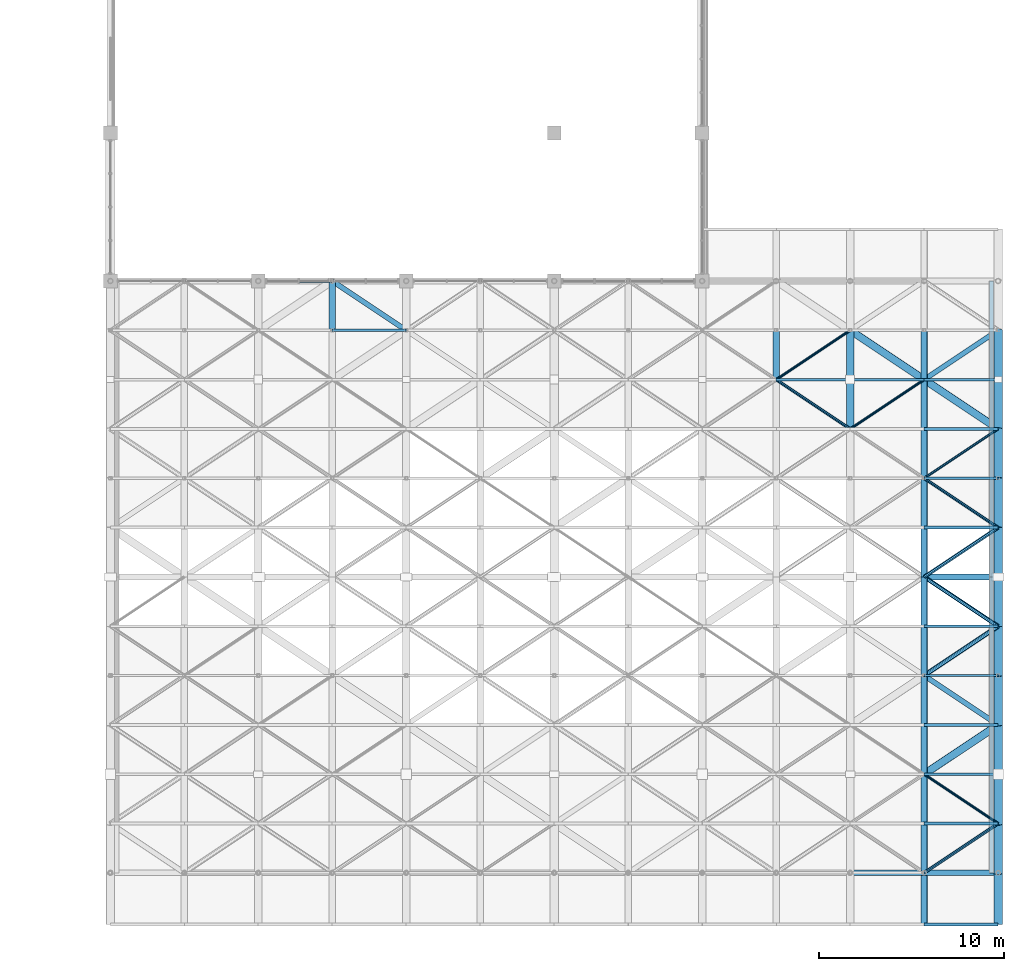
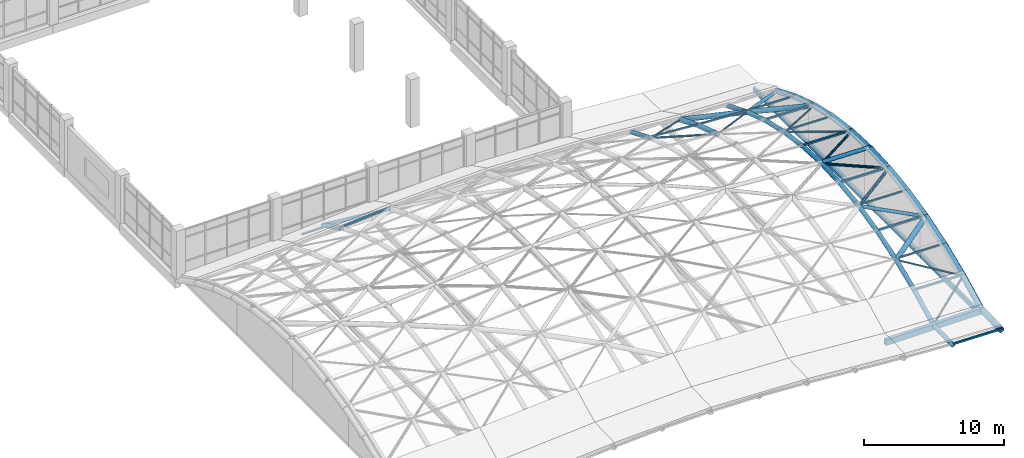
# One storey, part 32 of 72: 33 beams, 31 members, 1 element without a shape of its own.
"""IFC4 building model written with IfcOpenShell, lengths in metres."""

from ifc_helpers import new_model, si_unit, direction, frame, origin, origin_2d, place, context, subcontext, project, spatial, rectangle, hollow_rectangle, hollow_circle, extrude, material, material_profile, profile_set, type_object, element, aggregate, save


model = new_model("IFC4")

# Units and contexts
model_context = context("Model", 3, precision=1e-05, world=origin(), true_north=direction((0.0, 1.0)))
body_context = subcontext(model_context, "Body", "Model", "MODEL_VIEW")
ifc_project = project(units=[si_unit("LENGTHUNIT", "METRE"), si_unit("AREAUNIT", "SQUARE_METRE"), si_unit("VOLUMEUNIT", "CUBIC_METRE"), si_unit("PLANEANGLEUNIT", "RADIAN"), si_unit("MASSUNIT", "GRAM", prefix="KILO")], contexts=[model_context])

# Site, building, storey
site_placement = place(None, origin())
site = spatial("IfcSite", under=ifc_project, at=site_placement, CompositionType="ELEMENT")
building_placement = place(site_placement, origin())
building = spatial("IfcBuilding", under=site, at=building_placement, Name="Tenunan Teduh Sports Hall", CompositionType="ELEMENT")
storey_placement = place(building_placement, frame((0.0, 0.0, 15.0)))
storey = spatial("IfcBuildingStorey", under=building, at=storey_placement, Name="L03", CompositionType="ELEMENT", Elevation=15.0)

# Curtain wall, member
ifc_material_1 = material(Name="Anodised aluminium", Category="aluminium")
curtain_wall_type = type_object("IfcCurtainWallType", Name="CW-CLER-1", PredefinedType="NOTDEFINED", material=ifc_material_1)
curtain_wall_placement = place(storey_placement, origin())
curtain_wall = element("IfcCurtainWall", 1, at=curtain_wall_placement, inside=storey, type_object=curtain_wall_type, Name="CW-CWM-220-L03-141", PredefinedType="NOTDEFINED")
ifc_material_2 = material(Name="Anodised aluminium", Category="aluminium")
ifc_material_profile_1 = material_profile(ifc_material_2, rectangle(XDim=0.074951171875, YDim=0.179931640625, at=origin_2d()), Name="CWT 75x180")
ifc_profile_set_1 = profile_set([ifc_material_profile_1], Name="Anodised aluminium")
member_type_1 = type_object("IfcMemberType", Name="CWT-180", PredefinedType="USERDEFINED", material=ifc_profile_set_1)
member_1_placement = place(storey_placement, frame((132.22509765625, 46.0, 0.03759765625), z_axis=(1.0, 0.0, 0.0), x_axis=(0.0, 0.0, 1.0)))
member_1 = element("IfcMember", 2, at=member_1_placement, type_object=member_type_1, Name="CW-03 transom 2.1", ObjectType="TRANSOM", PredefinedType="USERDEFINED", context=body_context, shape_type="SweptSolid", body=[
    extrude(rectangle(XDim=0.074951171875, YDim=0.179931640625, at=origin_2d()), origin(), (0.0, 0.0, 1.0), 1.7373046875),
])
aggregate(curtain_wall, [member_1])

# Beams
ifc_material_3 = material(Name="Steel S355", Category="steel")
ifc_material_profile_2 = material_profile(ifc_material_3, hollow_circle(Radius=0.177734375, WallThickness=0.012451171875, at=origin_2d()), Name="CHS 355.6x12.5")
ifc_profile_set_2 = profile_set([ifc_material_profile_2], Name="Steel S355")
beam_type_1 = type_object("IfcBeamType", Name="GSB-CHS356", PredefinedType="BEAM", material=ifc_profile_set_2)
beam_1_placement = place(storey_placement, frame((134.0, 43.333251953125, 1.5654296875), z_axis=(0.0, 0.893033000477, -0.449991177756), x_axis=(-1.0, 0.0, 0.0)))
element("IfcBeam", 3, at=beam_1_placement, inside=storey, type_object=beam_type_1, Name="Gridshell Vault Arch BM-GR-04-L03-0120", PredefinedType="BEAM", context=body_context, shape_type="SweptSolid", body=[
    extrude(hollow_circle(Radius=0.177734375, WallThickness=0.012451171875, at=origin_2d()), origin(), (0.0, 0.0, 1.0), 2.986083984375),
])
beam_2_placement = place(storey_placement, frame((158.0, 40.666748046875, 2.6669921875), z_axis=(0.0, 0.924239355634, -0.381813584748), x_axis=(-1.0, 0.0, 0.0)))
element("IfcBeam", 4, at=beam_2_placement, inside=storey, type_object=beam_type_1, Name="Gridshell Vault Arch BM-GR-04-L03-0197", PredefinedType="BEAM", context=body_context, shape_type="SweptSolid", body=[
    extrude(hollow_circle(Radius=0.177734375, WallThickness=0.012451171875, at=origin_2d()), origin(), (0.0, 0.0, 1.0), 2.885009765625),
])
beam_3_placement = place(storey_placement, frame((166.0, 11.199951171875, -0.3837890625), z_axis=(0.0, 0.999521285082, 0.030938659769), x_axis=(-1.0, 0.0, 0.0)))
element("IfcBeam", 5, at=beam_3_placement, inside=storey, type_object=beam_type_1, Name="Gridshell Vault Arch BM-GR-04-L03-0214", PredefinedType="BEAM", context=body_context, shape_type="SweptSolid", body=[
    extrude(hollow_circle(Radius=0.177734375, WallThickness=0.012451171875, at=origin_2d()), origin(), (0.0, 0.0, 1.0), 2.6513671875),
])
beam_4_placement = place(storey_placement, frame((166.0, 14.14990234375, -0.2158203125), z_axis=(0.0, 0.893958432616, 0.448149886483), x_axis=(-1.0, 0.0, 0.0)))
element("IfcBeam", 6, at=beam_4_placement, inside=storey, type_object=beam_type_1, Name="Gridshell Vault Arch BM-GR-04-L03-0215", PredefinedType="BEAM", context=body_context, shape_type="SweptSolid", body=[
    extrude(hollow_circle(Radius=0.177734375, WallThickness=0.012451171875, at=origin_2d()), origin(), (0.0, 0.0, 1.0), 2.8154296875),
])
beam_5_placement = place(storey_placement, frame((166.0, 16.666748046875, 1.0458984375), z_axis=(0.0, 0.924239355634, 0.381813584748), x_axis=(-1.0, 0.0, 0.0)))
element("IfcBeam", 7, at=beam_5_placement, inside=storey, type_object=beam_type_1, Name="Gridshell Vault Arch BM-GR-04-L03-0216", PredefinedType="BEAM", context=body_context, shape_type="SweptSolid", body=[
    extrude(hollow_circle(Radius=0.177734375, WallThickness=0.012451171875, at=origin_2d()), origin(), (0.0, 0.0, 1.0), 2.885009765625),
])
beam_6_placement = place(storey_placement, frame((166.0, 19.333251953125, 2.1474609375), z_axis=(0.0, 0.952205270427, 0.305458872798), x_axis=(-1.0, 0.0, 0.0)))
element("IfcBeam", 8, at=beam_6_placement, inside=storey, type_object=beam_type_1, Name="Gridshell Vault Arch BM-GR-04-L03-0217", PredefinedType="BEAM", context=body_context, shape_type="SweptSolid", body=[
    extrude(hollow_circle(Radius=0.177734375, WallThickness=0.012451171875, at=origin_2d()), origin(), (0.0, 0.0, 1.0), 2.800537109375),
])
beam_7_placement = place(storey_placement, frame((166.0, 22.0, 3.0029296875), z_axis=(0.0, 0.974871798782, 0.222766640095), x_axis=(-1.0, 0.0, 0.0)))
element("IfcBeam", 9, at=beam_7_placement, inside=storey, type_object=beam_type_1, Name="Gridshell Vault Arch BM-GR-04-L03-0218", PredefinedType="BEAM", context=body_context, shape_type="SweptSolid", body=[
    extrude(hollow_circle(Radius=0.177734375, WallThickness=0.012451171875, at=origin_2d()), origin(), (0.0, 0.0, 1.0), 2.735595703125),
])
beam_8_placement = place(storey_placement, frame((166.0, 24.666748046875, 3.6123046875), z_axis=(0.0, 0.99065158568, 0.136416405866), x_axis=(-1.0, 0.0, 0.0)))
element("IfcBeam", 10, at=beam_8_placement, inside=storey, type_object=beam_type_1, Name="Gridshell Vault Arch BM-GR-04-L03-0219", PredefinedType="BEAM", context=body_context, shape_type="SweptSolid", body=[
    extrude(hollow_circle(Radius=0.177734375, WallThickness=0.012451171875, at=origin_2d()), origin(), (0.0, 0.0, 1.0), 2.691650390625),
])
for number, where, z_axis, x_axis, name in (
    (11, (166.0, 27.333251953125, 3.9794921875), (0.0, 0.998970613421, 0.045362027305), (-1.0, 0.0, 0.0), "Gridshell Vault Arch BM-GR-04-L03-0220"),
    (12, (166.0, 30.0, 4.1005859375), (0.0, 0.998970613421, -0.045362027305), (-1.0, 0.0, 0.0), "Gridshell Vault Arch BM-GR-04-L03-0221"),
):
    element("IfcBeam", number, at=place(storey_placement, frame(where, z_axis=z_axis, x_axis=x_axis)), inside=storey, type_object=beam_type_1, Name=name, PredefinedType="BEAM", context=body_context, shape_type="SweptSolid", body=[
        extrude(hollow_circle(Radius=0.177734375, WallThickness=0.012451171875, at=origin_2d()), origin(), (0.0, 0.0, 1.0), 2.66943359375),
    ])
beam_9_placement = place(storey_placement, frame((166.0, 32.666748046875, 3.9794921875), z_axis=(0.0, 0.99065158568, -0.136416405866), x_axis=(-1.0, 0.0, 0.0)))
element("IfcBeam", 13, at=beam_9_placement, inside=storey, type_object=beam_type_1, Name="Gridshell Vault Arch BM-GR-04-L03-0222", PredefinedType="BEAM", context=body_context, shape_type="SweptSolid", body=[
    extrude(hollow_circle(Radius=0.177734375, WallThickness=0.012451171875, at=origin_2d()), origin(), (0.0, 0.0, 1.0), 2.691650390625),
])
beam_10_placement = place(storey_placement, frame((166.0, 35.333251953125, 3.6123046875), z_axis=(0.0, 0.974871798782, -0.222766640095), x_axis=(-1.0, 0.0, 0.0)))
element("IfcBeam", 14, at=beam_10_placement, inside=storey, type_object=beam_type_1, Name="Gridshell Vault Arch BM-GR-04-L03-0223", PredefinedType="BEAM", context=body_context, shape_type="SweptSolid", body=[
    extrude(hollow_circle(Radius=0.177734375, WallThickness=0.012451171875, at=origin_2d()), origin(), (0.0, 0.0, 1.0), 2.735595703125),
])
beam_11_placement = place(storey_placement, frame((166.0, 38.0, 3.0029296875), z_axis=(0.0, 0.952205270427, -0.305458872798), x_axis=(-1.0, 0.0, 0.0)))
element("IfcBeam", 15, at=beam_11_placement, inside=storey, type_object=beam_type_1, Name="Gridshell Vault Arch BM-GR-04-L03-0224", PredefinedType="BEAM", context=body_context, shape_type="SweptSolid", body=[
    extrude(hollow_circle(Radius=0.177734375, WallThickness=0.012451171875, at=origin_2d()), origin(), (0.0, 0.0, 1.0), 2.800537109375),
])
beam_12_placement = place(storey_placement, frame((166.0, 40.666748046875, 2.1474609375), z_axis=(0.0, 0.924239355634, -0.381813584748), x_axis=(-1.0, 0.0, 0.0)))
element("IfcBeam", 16, at=beam_12_placement, inside=storey, type_object=beam_type_1, Name="Gridshell Vault Arch BM-GR-04-L03-0225", PredefinedType="BEAM", context=body_context, shape_type="SweptSolid", body=[
    extrude(hollow_circle(Radius=0.177734375, WallThickness=0.012451171875, at=origin_2d()), origin(), (0.0, 0.0, 1.0), 2.885009765625),
])
ifc_material_4 = material(Name="Steel S355", Category="steel")
ifc_material_profile_3 = material_profile(ifc_material_4, hollow_circle(Radius=0.203125, WallThickness=0.01611328125, at=origin_2d()), Name="CHS 406.4x16.0")
ifc_profile_set_3 = profile_set([ifc_material_profile_3], Name="Steel S355")
beam_type_2 = type_object("IfcBeamType", Name="GSB-CHS406", PredefinedType="BEAM", material=ifc_profile_set_3)
beam_13_placement = place(storey_placement, frame((162.0, 38.0, 3.2216796875), z_axis=(0.0, 0.952205270427, -0.305458872798), x_axis=(-1.0, 0.0, 0.0)))
element("IfcBeam", 17, at=beam_13_placement, inside=storey, type_object=beam_type_2, Name="Gridshell Vault Arch BM-GA-02-L03-0210", PredefinedType="BEAM", context=body_context, shape_type="SweptSolid", body=[
    extrude(hollow_circle(Radius=0.203125, WallThickness=0.01611328125, at=origin_2d()), origin(), (0.0, 0.0, 1.0), 2.800537109375),
])
beam_14_placement = place(storey_placement, frame((162.0, 40.666748046875, 2.3662109375), z_axis=(0.0, 0.924239355634, -0.381813584748), x_axis=(-1.0, 0.0, 0.0)))
element("IfcBeam", 18, at=beam_14_placement, inside=storey, type_object=beam_type_2, Name="Gridshell Vault Arch BM-GA-02-L03-0211", PredefinedType="BEAM", context=body_context, shape_type="SweptSolid", body=[
    extrude(hollow_circle(Radius=0.203125, WallThickness=0.01611328125, at=origin_2d()), origin(), (0.0, 0.0, 1.0), 2.885009765625),
])
ifc_material_5 = material(Name="Steel S355", Category="steel")
ifc_material_profile_4 = material_profile(ifc_material_5, hollow_circle(Radius=0.228515625, WallThickness=0.01611328125, at=origin_2d()), Name="CHS 457.0x16.0")
ifc_profile_set_4 = profile_set([ifc_material_profile_4], Name="Steel S355")
beam_type_3 = type_object("IfcBeamType", Name="GSB-CHS457", PredefinedType="BEAM", material=ifc_profile_set_4)
beam_15_placement = place(storey_placement, frame((170.0, 11.199951171875, -0.4658203125), z_axis=(0.0, 0.999529350566, 0.030676984166), x_axis=(-1.0, 0.0, 0.0)))
element("IfcBeam", 19, at=beam_15_placement, inside=storey, type_object=beam_type_3, Name="Gridshell Vault Arch BM-GA-01-L03-0228", PredefinedType="BEAM", context=body_context, shape_type="SweptSolid", body=[
    extrude(hollow_circle(Radius=0.228515625, WallThickness=0.01611328125, at=origin_2d()), origin(), (0.0, 0.0, 1.0), 2.80126953125),
])
beam_16_placement = place(storey_placement, frame((170.0, 14.0, -0.3798828125), z_axis=(0.0, 0.893033000477, 0.449991177756), x_axis=(-1.0, 0.0, 0.0)))
element("IfcBeam", 20, at=beam_16_placement, inside=storey, type_object=beam_type_3, Name="Gridshell Vault Arch BM-GA-01-L03-0229", PredefinedType="BEAM", context=body_context, shape_type="SweptSolid", body=[
    extrude(hollow_circle(Radius=0.228515625, WallThickness=0.01611328125, at=origin_2d()), origin(), (0.0, 0.0, 1.0), 2.986083984375),
])
beam_17_placement = place(storey_placement, frame((170.0, 16.666748046875, 0.9638671875), z_axis=(0.0, 0.924239355634, 0.381813584748), x_axis=(-1.0, 0.0, 0.0)))
element("IfcBeam", 21, at=beam_17_placement, inside=storey, type_object=beam_type_3, Name="Gridshell Vault Arch BM-GA-01-L03-0230", PredefinedType="BEAM", context=body_context, shape_type="SweptSolid", body=[
    extrude(hollow_circle(Radius=0.228515625, WallThickness=0.01611328125, at=origin_2d()), origin(), (0.0, 0.0, 1.0), 2.885009765625),
])
beam_18_placement = place(storey_placement, frame((170.0, 19.333251953125, 2.0654296875), z_axis=(0.0, 0.952205270427, 0.305458872798), x_axis=(-1.0, 0.0, 0.0)))
element("IfcBeam", 22, at=beam_18_placement, inside=storey, type_object=beam_type_3, Name="Gridshell Vault Arch BM-GA-01-L03-0231", PredefinedType="BEAM", context=body_context, shape_type="SweptSolid", body=[
    extrude(hollow_circle(Radius=0.228515625, WallThickness=0.01611328125, at=origin_2d()), origin(), (0.0, 0.0, 1.0), 2.800537109375),
])
beam_19_placement = place(storey_placement, frame((170.0, 22.0, 2.9208984375), z_axis=(0.0, 0.974871798782, 0.222766640095), x_axis=(-1.0, 0.0, 0.0)))
element("IfcBeam", 23, at=beam_19_placement, inside=storey, type_object=beam_type_3, Name="Gridshell Vault Arch BM-GA-01-L03-0232", PredefinedType="BEAM", context=body_context, shape_type="SweptSolid", body=[
    extrude(hollow_circle(Radius=0.228515625, WallThickness=0.01611328125, at=origin_2d()), origin(), (0.0, 0.0, 1.0), 2.735595703125),
])
beam_20_placement = place(storey_placement, frame((170.0, 24.666748046875, 3.5302734375), z_axis=(0.0, 0.99065158568, 0.136416405866), x_axis=(-1.0, 0.0, 0.0)))
element("IfcBeam", 24, at=beam_20_placement, inside=storey, type_object=beam_type_3, Name="Gridshell Vault Arch BM-GA-01-L03-0233", PredefinedType="BEAM", context=body_context, shape_type="SweptSolid", body=[
    extrude(hollow_circle(Radius=0.228515625, WallThickness=0.01611328125, at=origin_2d()), origin(), (0.0, 0.0, 1.0), 2.691650390625),
])
for number, where, z_axis, x_axis, name in (
    (25, (170.0, 27.333251953125, 3.8974609375), (0.0, 0.998970613421, 0.045362027305), (-1.0, 0.0, 0.0), "Gridshell Vault Arch BM-GA-01-L03-0234"),
    (26, (170.0, 30.0, 4.0185546875), (0.0, 0.998970613421, -0.045362027305), (-1.0, 0.0, 0.0), "Gridshell Vault Arch BM-GA-01-L03-0235"),
):
    element("IfcBeam", number, at=place(storey_placement, frame(where, z_axis=z_axis, x_axis=x_axis)), inside=storey, type_object=beam_type_3, Name=name, PredefinedType="BEAM", context=body_context, shape_type="SweptSolid", body=[
        extrude(hollow_circle(Radius=0.228515625, WallThickness=0.01611328125, at=origin_2d()), origin(), (0.0, 0.0, 1.0), 2.66943359375),
    ])
beam_21_placement = place(storey_placement, frame((170.0, 32.666748046875, 3.8974609375), z_axis=(0.0, 0.99065158568, -0.136416405866), x_axis=(-1.0, 0.0, 0.0)))
element("IfcBeam", 27, at=beam_21_placement, inside=storey, type_object=beam_type_3, Name="Gridshell Vault Arch BM-GA-01-L03-0236", PredefinedType="BEAM", context=body_context, shape_type="SweptSolid", body=[
    extrude(hollow_circle(Radius=0.228515625, WallThickness=0.01611328125, at=origin_2d()), origin(), (0.0, 0.0, 1.0), 2.691650390625),
])
beam_22_placement = place(storey_placement, frame((170.0, 35.333251953125, 3.5302734375), z_axis=(0.0, 0.974871798782, -0.222766640095), x_axis=(-1.0, 0.0, 0.0)))
element("IfcBeam", 28, at=beam_22_placement, inside=storey, type_object=beam_type_3, Name="Gridshell Vault Arch BM-GA-01-L03-0237", PredefinedType="BEAM", context=body_context, shape_type="SweptSolid", body=[
    extrude(hollow_circle(Radius=0.228515625, WallThickness=0.01611328125, at=origin_2d()), origin(), (0.0, 0.0, 1.0), 2.735595703125),
])
beam_23_placement = place(storey_placement, frame((170.0, 38.0, 2.9208984375), z_axis=(0.0, 0.952205270427, -0.305458872798), x_axis=(-1.0, 0.0, 0.0)))
element("IfcBeam", 29, at=beam_23_placement, inside=storey, type_object=beam_type_3, Name="Gridshell Vault Arch BM-GA-01-L03-0238", PredefinedType="BEAM", context=body_context, shape_type="SweptSolid", body=[
    extrude(hollow_circle(Radius=0.228515625, WallThickness=0.01611328125, at=origin_2d()), origin(), (0.0, 0.0, 1.0), 2.800537109375),
])
beam_24_placement = place(storey_placement, frame((170.0, 40.666748046875, 2.0654296875), z_axis=(0.0, 0.924239355634, -0.381813584748), x_axis=(-1.0, 0.0, 0.0)))
element("IfcBeam", 30, at=beam_24_placement, inside=storey, type_object=beam_type_3, Name="Gridshell Vault Arch BM-GA-01-L03-0239", PredefinedType="BEAM", context=body_context, shape_type="SweptSolid", body=[
    extrude(hollow_circle(Radius=0.228515625, WallThickness=0.01611328125, at=origin_2d()), origin(), (0.0, 0.0, 1.0), 2.885009765625),
])

# Members
ifc_material_6 = material(Name="Steel S355", Category="steel")
ifc_material_profile_5 = material_profile(ifc_material_6, hollow_circle(Radius=0.06982421875, WallThickness=0.00634765625, at=origin_2d()), Name="CHS 139.7x6.3")
ifc_profile_set_5 = profile_set([ifc_material_profile_5], Name="Steel S355")
member_type_2 = type_object("IfcMemberType", Name="MEM-BR-CHS140", PredefinedType="BRACE", material=ifc_profile_set_5)
member_2_placement = place(storey_placement, frame((158.0, 40.666748046875, 2.6669921875), z_axis=(0.798773847537, 0.532483396167, -0.280038878189), x_axis=(-0.554676756648, 0.832065920246, 0.0)))
element("IfcMember", 31, at=member_2_placement, inside=storey, type_object=member_type_2, Name="MEM-GD-05-L03-0354", PredefinedType="BRACE", context=body_context, shape_type="SweptSolid", body=[
    extrude(hollow_circle(Radius=0.06982421875, WallThickness=0.00634765625, at=origin_2d()), origin(), (0.0, 0.0, 1.0), 5.007568359375),
])
member_3_placement = place(storey_placement, frame((162.0, 38.0, 3.2216796875), z_axis=(0.81201761227, 0.541361595387, -0.218071136108), x_axis=(-0.554711915519, 0.832042481356, 0.0)))
element("IfcMember", 32, at=member_3_placement, inside=storey, type_object=member_type_2, Name="MEM-GD-05-L03-0380", PredefinedType="BRACE", context=body_context, shape_type="SweptSolid", body=[
    extrude(hollow_circle(Radius=0.06982421875, WallThickness=0.00634765625, at=origin_2d()), origin(), (0.0, 0.0, 1.0), 4.926025390625),
])
member_4_placement = place(storey_placement, frame((166.0, 19.333251953125, 2.1474609375), z_axis=(0.807938419572, -0.538592737949, -0.239067715947), x_axis=(0.554676756648, 0.832065920246, 0.0)))
element("IfcMember", 33, at=member_4_placement, inside=storey, type_object=member_type_2, Name="MEM-GD-05-L03-0397", PredefinedType="BRACE", context=body_context, shape_type="SweptSolid", body=[
    extrude(hollow_circle(Radius=0.06982421875, WallThickness=0.00634765625, at=origin_2d()), origin(), (0.0, 0.0, 1.0), 4.950927734375),
])
member_5_placement = place(storey_placement, frame((166.0, 35.333251953125, 3.6123046875), z_axis=(0.823568667697, 0.549062534012, -0.142355131037), x_axis=(-0.554711915519, 0.832042481356, 0.0)))
element("IfcMember", 34, at=member_5_placement, inside=storey, type_object=member_type_2, Name="MEM-GD-05-L03-0404", PredefinedType="BRACE", context=body_context, shape_type="SweptSolid", body=[
    extrude(hollow_circle(Radius=0.06982421875, WallThickness=0.00634765625, at=origin_2d()), origin(), (0.0, 0.0, 1.0), 4.85693359375),
])
ifc_material_7 = material(Name="Steel S355", Category="steel")
ifc_material_profile_6 = material_profile(ifc_material_7, hollow_circle(Radius=0.084228515625, WallThickness=0.008056640625, at=origin_2d()), Name="CHS 168.3x8.0")
ifc_profile_set_6 = profile_set([ifc_material_profile_6], Name="Steel S355")
member_type_3 = type_object("IfcMemberType", Name="MEM-BR-CHS168", PredefinedType="BRACE", material=ifc_profile_set_6)
member_6_placement = place(storey_placement, frame((158.0, 40.666748046875, 2.6669921875), z_axis=(0.826558786537, -0.551056007406, 0.114620456727), x_axis=(0.554711915519, 0.832042481356, 0.0)))
element("IfcMember", 35, at=member_6_placement, inside=storey, type_object=member_type_3, Name="MEM-GD-04-L03-0353", PredefinedType="BRACE", context=body_context, shape_type="SweptSolid", body=[
    extrude(hollow_circle(Radius=0.084228515625, WallThickness=0.008056640625, at=origin_2d()), origin(), (0.0, 0.0, 1.0), 4.83935546875),
])
member_7_placement = place(storey_placement, frame((166.0, 14.0, -0.2978515625), z_axis=(0.804786955683, 0.536541010555, 0.253853697935), x_axis=(-0.554711915519, 0.832042481356, 0.0)))
element("IfcMember", 36, at=member_7_placement, inside=storey, type_object=member_type_3, Name="MEM-GD-04-L03-0396", PredefinedType="BRACE", context=body_context, shape_type="SweptSolid", body=[
    extrude(hollow_circle(Radius=0.084228515625, WallThickness=0.008056640625, at=origin_2d()), origin(), (0.0, 0.0, 1.0), 4.97021484375),
])
member_8_placement = place(storey_placement, frame((166.0, 35.333251953125, 3.6123046875), z_axis=(0.830605947326, -0.553703500775, 0.059213119292), x_axis=(0.554676756648, 0.832065920246, 0.0)))
element("IfcMember", 37, at=member_8_placement, inside=storey, type_object=member_type_3, Name="MEM-GD-04-L03-0403", PredefinedType="BRACE", context=body_context, shape_type="SweptSolid", body=[
    extrude(hollow_circle(Radius=0.084228515625, WallThickness=0.008056640625, at=origin_2d()), origin(), (0.0, 0.0, 1.0), 4.815673828125),
])
ifc_material_8 = material(Name="Steel S355", Category="steel")
ifc_material_profile_7 = material_profile(ifc_material_8, hollow_circle(Radius=0.096923828125, WallThickness=0.008056640625, at=origin_2d()), Name="CHS 193.7x8.0")
ifc_profile_set_7 = profile_set([ifc_material_profile_7], Name="Steel S355")
member_type_4 = type_object("IfcMemberType", Name="MEM-BR-CHS194", PredefinedType="BRACE", material=ifc_profile_set_7)
member_9_placement = place(storey_placement, frame((166.0, 30.0, 4.1005859375), z_axis=(0.831300774551, 0.554217429225, -0.042214492458), x_axis=(-0.554711915519, 0.832042481356, 0.0)))
element("IfcMember", 38, at=member_9_placement, inside=storey, type_object=member_type_4, Name="MEM-GD-03-L03-0402", PredefinedType="BRACE", context=body_context, shape_type="SweptSolid", body=[
    extrude(hollow_circle(Radius=0.096923828125, WallThickness=0.008056640625, at=origin_2d()), origin(), (0.0, 0.0, 1.0), 4.811767578125),
])
ifc_material_9 = material(Name="Steel S355", Category="steel")
ifc_material_profile_8 = material_profile(ifc_material_9, hollow_circle(Radius=0.109619140625, WallThickness=0.010009765625, at=origin_2d()), Name="CHS 219.1x10.0")
ifc_profile_set_8 = profile_set([ifc_material_profile_8], Name="Steel S355")
member_type_5 = type_object("IfcMemberType", Name="MEM-BR-CHS219", PredefinedType="BRACE", material=ifc_profile_set_8)
member_10_placement = place(storey_placement, frame((166.0, 30.0, 4.1005859375), z_axis=(0.831300774551, -0.554217429225, -0.042214492458), x_axis=(0.554711915519, 0.832042481356, 0.0)))
element("IfcMember", 39, at=member_10_placement, inside=storey, type_object=member_type_5, Name="MEM-GD-02-L03-0401", PredefinedType="BRACE", context=body_context, shape_type="SweptSolid", body=[
    extrude(hollow_circle(Radius=0.109619140625, WallThickness=0.010009765625, at=origin_2d()), origin(), (0.0, 0.0, 1.0), 4.811767578125),
])
ifc_material_10 = material(Name="Steel S355", Category="steel")
ifc_material_profile_9 = material_profile(ifc_material_10, hollow_circle(Radius=0.122314453125, WallThickness=0.010009765625, at=origin_2d()), Name="CHS 244.5x10.0")
ifc_profile_set_9 = profile_set([ifc_material_profile_9], Name="Steel S355")
member_type_6 = type_object("IfcMemberType", Name="MEM-BR-CHS245", PredefinedType="BRACE", material=ifc_profile_set_9)
member_11_placement = place(storey_placement, frame((166.0, 24.666748046875, 3.6123046875), z_axis=(0.830605947326, 0.553703500775, 0.059213119292), x_axis=(-0.554676756648, 0.832065920246, 0.0)))
element("IfcMember", 40, at=member_11_placement, inside=storey, type_object=member_type_6, Name="MEM-GD-01-L03-0400", PredefinedType="BRACE", context=body_context, shape_type="SweptSolid", body=[
    extrude(hollow_circle(Radius=0.122314453125, WallThickness=0.010009765625, at=origin_2d()), origin(), (0.0, 0.0, 1.0), 4.815673828125),
])
ifc_material_11 = material(Name="Steel S355", Category="steel")
ifc_material_profile_10 = material_profile(ifc_material_11, hollow_circle(Radius=0.136474609375, WallThickness=0.010009765625, at=origin_2d()), Name="CHS 273.0x10.0")
ifc_profile_set_10 = profile_set([ifc_material_profile_10], Name="Steel S355")
member_type_7 = type_object("IfcMemberType", Name="MEM-CH-CHS273", PredefinedType="CHORD", material=ifc_profile_set_10)
member_12_placement = place(storey_placement, frame((134.0, 46.0, 0.2216796875), z_axis=(0.787450466452, -0.524982998356, 0.322977730381), x_axis=(0.554711915519, 0.832042481356, 0.0)))
element("IfcMember", 41, at=member_12_placement, inside=storey, type_object=member_type_7, Name="MEM-GC-03-L03-0197", PredefinedType="CHORD", context=body_context, shape_type="SweptSolid", body=[
    extrude(hollow_circle(Radius=0.136474609375, WallThickness=0.010009765625, at=origin_2d()), origin(), (0.0, 0.0, 1.0), 5.07958984375),
])
member_13_placement = place(storey_placement, frame((166.0, 24.666748046875, 3.6123046875), z_axis=(0.823568667697, -0.549062534012, -0.142355131037), x_axis=(0.554711915519, 0.832042481356, 0.0)))
element("IfcMember", 42, at=member_13_placement, inside=storey, type_object=member_type_7, Name="MEM-GC-03-L03-0399", PredefinedType="CHORD", context=body_context, shape_type="SweptSolid", body=[
    extrude(hollow_circle(Radius=0.136474609375, WallThickness=0.010009765625, at=origin_2d()), origin(), (0.0, 0.0, 1.0), 4.85693359375),
])
member_14_placement = place(storey_placement, frame((166.0, 40.666748046875, 2.1474609375), z_axis=(0.807938419572, 0.538592737949, -0.239067715947), x_axis=(-0.554676756648, 0.832065920246, 0.0)))
element("IfcMember", 43, at=member_14_placement, inside=storey, type_object=member_type_7, Name="MEM-GC-03-L03-0406", PredefinedType="CHORD", context=body_context, shape_type="SweptSolid", body=[
    extrude(hollow_circle(Radius=0.136474609375, WallThickness=0.010009765625, at=origin_2d()), origin(), (0.0, 0.0, 1.0), 4.950927734375),
])
ifc_material_12 = material(Name="Steel S355", Category="steel")
ifc_material_profile_11 = material_profile(ifc_material_12, hollow_circle(Radius=0.161865234375, WallThickness=0.012451171875, at=origin_2d()), Name="CHS 323.9x12.5")
ifc_profile_set_11 = profile_set([ifc_material_profile_11], Name="Steel S355")
member_type_8 = type_object("IfcMemberType", Name="MEM-CH-CHS324", PredefinedType="CHORD", material=ifc_profile_set_11)
member_15_placement = place(storey_placement, frame((166.0, 30.0, 4.220458984375), z_axis=(0.99978978112, 0.0, -0.020503501371), x_axis=(0.0, 1.0, 0.0)))
element("IfcMember", 44, at=member_15_placement, inside=storey, type_object=member_type_8, Name="MEM-GC-02-L03-0389", PredefinedType="CHORD", context=body_context, shape_type="SweptSolid", body=[
    extrude(hollow_circle(Radius=0.161865234375, WallThickness=0.012451171875, at=origin_2d()), origin(), (0.0, 0.0, 1.0), 4.000732421875),
])
ifc_material_13 = material(Name="Steel S355", Category="steel")
ifc_material_profile_12 = material_profile(ifc_material_13, hollow_circle(Radius=0.203125, WallThickness=0.012451171875, at=origin_2d()), Name="CHS 406.4x12.5")
ifc_profile_set_12 = profile_set([ifc_material_profile_12], Name="Steel S355")
member_type_9 = type_object("IfcMemberType", Name="MEM-CH-CHS406L", PredefinedType="CHORD", material=ifc_profile_set_12)
member_16_placement = place(storey_placement, frame((162.0, 43.333251953125, 1.2646484375), z_axis=(0.818381009906, -0.545554039928, 0.180619246327), x_axis=(0.554676756648, 0.832065920246, 0.0)))
element("IfcMember", 45, at=member_16_placement, inside=storey, type_object=member_type_9, Name="MEM-GC-01-L03-0381", PredefinedType="CHORD", context=body_context, shape_type="SweptSolid", body=[
    extrude(hollow_circle(Radius=0.203125, WallThickness=0.012451171875, at=origin_2d()), origin(), (0.0, 0.0, 1.0), 4.8876953125),
])
for number, where, z_axis, x_axis, name in (
    (46, (166.0, 19.333251953125, 2.1474609375), (0.821479059934, 0.547669419657, 0.158840677604), (-0.554711915519, 0.832042481356, 0.0), "MEM-GC-01-L03-0398"),
    (47, (166.0, 40.666748046875, 2.1474609375), (0.821479059934, -0.547669419657, 0.158840677604), (0.554711915519, 0.832042481356, 0.0), "MEM-GC-01-L03-0405"),
):
    element("IfcMember", number, at=place(storey_placement, frame(where, z_axis=z_axis, x_axis=x_axis)), inside=storey, type_object=member_type_9, Name=name, PredefinedType="CHORD", context=body_context, shape_type="SweptSolid", body=[
        extrude(hollow_circle(Radius=0.203125, WallThickness=0.012451171875, at=origin_2d()), origin(), (0.0, 0.0, 1.0), 4.869384765625),
    ])
ifc_material_14 = material(Name="Steel S355", Category="steel")
ifc_material_profile_13 = material_profile(ifc_material_14, hollow_rectangle(XDim=0.1201171875, YDim=0.1201171875, WallThickness=0.00634765625, at=origin_2d()), Name="SHS 120x120x6.3")
ifc_profile_set_13 = profile_set([ifc_material_profile_13], Name="Steel S355")
member_type_10 = type_object("IfcMemberType", Name="MEM-PR-SHS120", PredefinedType="PURLIN", material=ifc_profile_set_13)
member_17_placement = place(storey_placement, frame((158.0, 40.666748046875, 2.786865234375), z_axis=(0.997184765588, 0.0, -0.074983620069), x_axis=(0.0, 1.0, 0.0)))
element("IfcMember", 48, at=member_17_placement, inside=storey, type_object=member_type_10, Name="MEM-PR-02-L03-0340", PredefinedType="PURLIN", context=body_context, shape_type="SweptSolid", body=[
    extrude(hollow_rectangle(XDim=0.1201171875, YDim=0.1201171875, WallThickness=0.00634765625, at=origin_2d()), origin(), (0.0, 0.0, 1.0), 4.01123046875),
])
member_18_placement = place(storey_placement, frame((162.0, 40.666748046875, 2.486083984375), z_axis=(0.998507984492, 0.0, -0.054605905402), x_axis=(0.0, 1.0, 0.0)))
element("IfcMember", 49, at=member_18_placement, inside=storey, type_object=member_type_10, Name="MEM-PR-02-L03-0367", PredefinedType="PURLIN", context=body_context, shape_type="SweptSolid", body=[
    extrude(hollow_rectangle(XDim=0.1201171875, YDim=0.1201171875, WallThickness=0.00634765625, at=origin_2d()), origin(), (0.0, 0.0, 1.0), 4.005859375),
])
for number, where, z_axis, x_axis, name in (
    (50, (166.0, 19.333251953125, 2.267333984375), (0.99978978112, 0.0, -0.020503501371), (0.0, 1.0, 0.0), "MEM-PR-02-L03-0385"),
    (51, (166.0, 24.666748046875, 3.732177734375), (0.99978978112, 0.0, -0.020503501371), (0.0, 1.0, 0.0), "MEM-PR-02-L03-0387"),
    (52, (166.0, 35.333251953125, 3.732177734375), (0.99978978112, 0.0, -0.020503501371), (0.0, 1.0, 0.0), "MEM-PR-02-L03-0391"),
    (53, (166.0, 40.666748046875, 2.267333984375), (0.99978978112, 0.0, -0.020503501371), (0.0, 1.0, 0.0), "MEM-PR-02-L03-0393"),
):
    element("IfcMember", number, at=place(storey_placement, frame(where, z_axis=z_axis, x_axis=x_axis)), inside=storey, type_object=member_type_10, Name=name, PredefinedType="PURLIN", context=body_context, shape_type="SweptSolid", body=[
        extrude(hollow_rectangle(XDim=0.1201171875, YDim=0.1201171875, WallThickness=0.00634765625, at=origin_2d()), origin(), (0.0, 0.0, 1.0), 4.000732421875),
    ])
ifc_material_15 = material(Name="Steel S355", Category="steel")
ifc_material_profile_14 = material_profile(ifc_material_15, hollow_rectangle(XDim=0.14990234375, YDim=0.14990234375, WallThickness=0.008056640625, at=origin_2d()), Name="SHS 150x150x8.0")
ifc_profile_set_14 = profile_set([ifc_material_profile_14], Name="Steel S355")
member_type_11 = type_object("IfcMemberType", Name="MEM-PR-SHS150", PredefinedType="PURLIN", material=ifc_profile_set_14)
member_19_placement = place(storey_placement, frame((134.0, 43.333251953125, 1.685302734375), z_axis=(0.997257115114, 0.0, 0.074015176512), x_axis=(0.0, 1.0, 0.0)))
element("IfcMember", 54, at=member_19_placement, inside=storey, type_object=member_type_11, Name="MEM-PR-01-L03-0184", PredefinedType="PURLIN", context=body_context, shape_type="SweptSolid", body=[
    extrude(hollow_rectangle(XDim=0.14990234375, YDim=0.14990234375, WallThickness=0.008056640625, at=origin_2d()), origin(), (0.0, 0.0, 1.0), 4.010986328125),
])
for number, where, z_axis, x_axis, name in (
    (55, (166.0, 11.199951171875, -0.263916015625), (0.99978978112, 0.0, -0.020503501371), (0.0, 1.0, 0.0), "MEM-PR-01-L03-0383"),
    (56, (166.0, 16.666748046875, 1.165771484375), (0.99978978112, 0.0, -0.020503501371), (0.0, 1.0, 0.0), "MEM-PR-01-L03-0384"),
    (57, (166.0, 22.0, 3.122802734375), (0.99978978112, 0.0, -0.020503501371), (0.0, 1.0, 0.0), "MEM-PR-01-L03-0386"),
    (58, (166.0, 27.333251953125, 4.099365234375), (0.99978978112, 0.0, -0.020503501371), (0.0, 1.0, 0.0), "MEM-PR-01-L03-0388"),
    (59, (166.0, 32.666748046875, 4.099365234375), (0.99978978112, 0.0, -0.020503501371), (0.0, 1.0, 0.0), "MEM-PR-01-L03-0390"),
    (60, (166.0, 38.0, 3.122802734375), (0.99978978112, 0.0, -0.020503501371), (0.0, 1.0, 0.0), "MEM-PR-01-L03-0392"),
):
    element("IfcMember", number, at=place(storey_placement, frame(where, z_axis=z_axis, x_axis=x_axis)), inside=storey, type_object=member_type_11, Name=name, PredefinedType="PURLIN", context=body_context, shape_type="SweptSolid", body=[
        extrude(hollow_rectangle(XDim=0.14990234375, YDim=0.14990234375, WallThickness=0.008056640625, at=origin_2d()), origin(), (0.0, 0.0, 1.0), 4.000732421875),
    ])

# Beams
ifc_material_16 = material(Name="Steel S355", Category="steel")
ifc_material_profile_15 = material_profile(ifc_material_16, hollow_rectangle(XDim=0.199951171875, YDim=0.39990234375, WallThickness=0.012451171875, at=origin_2d()), Name="RHS 400x200x12.5")
ifc_profile_set_15 = profile_set([ifc_material_profile_15], Name="Steel S355")
beam_type_4 = type_object("IfcBeamType", Name="RBM-RHS400", PredefinedType="SPANDREL", material=ifc_profile_set_15)
for number, where, z_axis, x_axis, name in (
    (61, (169.646484375, 14.0, -0.360107421875), (0.0, 1.0, 0.0), (-1.0, 0.0, 0.0), "Perimeter Ring Beam BM-RB-02-L03-0057"),
    (62, (169.646484375, 22.0, -0.360107421875), (0.0, 1.0, 0.0), (-1.0, 0.0, 0.0), "Perimeter Ring Beam BM-RB-02-L03-0059"),
    (63, (169.646484375, 30.0, -0.360107421875), (0.0, 1.0, 0.0), (-1.0, 0.0, 0.0), "Perimeter Ring Beam BM-RB-02-L03-0061"),
    (64, (169.646484375, 38.0, -0.360107421875), (0.0, 1.0, 0.0), (-1.0, 0.0, 0.0), "Perimeter Ring Beam BM-RB-02-L03-0063"),
):
    element("IfcBeam", number, at=place(storey_placement, frame(where, z_axis=z_axis, x_axis=x_axis)), inside=storey, type_object=beam_type_4, Name=name, PredefinedType="SPANDREL", context=body_context, shape_type="SweptSolid", body=[
        extrude(hollow_rectangle(XDim=0.199951171875, YDim=0.39990234375, WallThickness=0.012451171875, at=origin_2d()), origin(), (0.0, 0.0, 1.0), 8.0),
    ])
ifc_material_17 = material(Name="Steel S355", Category="steel")
ifc_material_profile_16 = material_profile(ifc_material_17, hollow_rectangle(XDim=0.300048828125, YDim=0.5, WallThickness=0.01611328125, at=origin_2d()), Name="RHS 500x300x16.0")
ifc_profile_set_16 = profile_set([ifc_material_profile_16], Name="Steel S355")
beam_type_5 = type_object("IfcBeamType", Name="RBM-RHS500", PredefinedType="SPANDREL", material=ifc_profile_set_16)
beam_25_placement = place(storey_placement, frame((162.0, 14.0, -0.409912109375), z_axis=(1.0, 0.0, 0.0), x_axis=(0.0, 1.0, 0.0)))
element("IfcBeam", 65, at=beam_25_placement, inside=storey, type_object=beam_type_5, Name="Perimeter Ring Beam BM-RB-01-L03-0054", PredefinedType="SPANDREL", context=body_context, shape_type="SweptSolid", body=[
    extrude(hollow_rectangle(XDim=0.300048828125, YDim=0.5, WallThickness=0.01611328125, at=origin_2d()), origin(), (0.0, 0.0, 1.0), 8.0),
])

save(model, "model.ifc")
